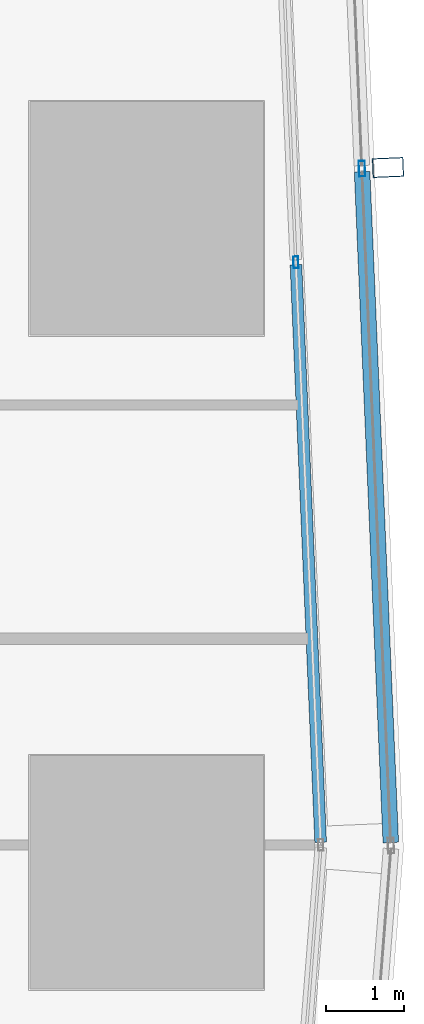
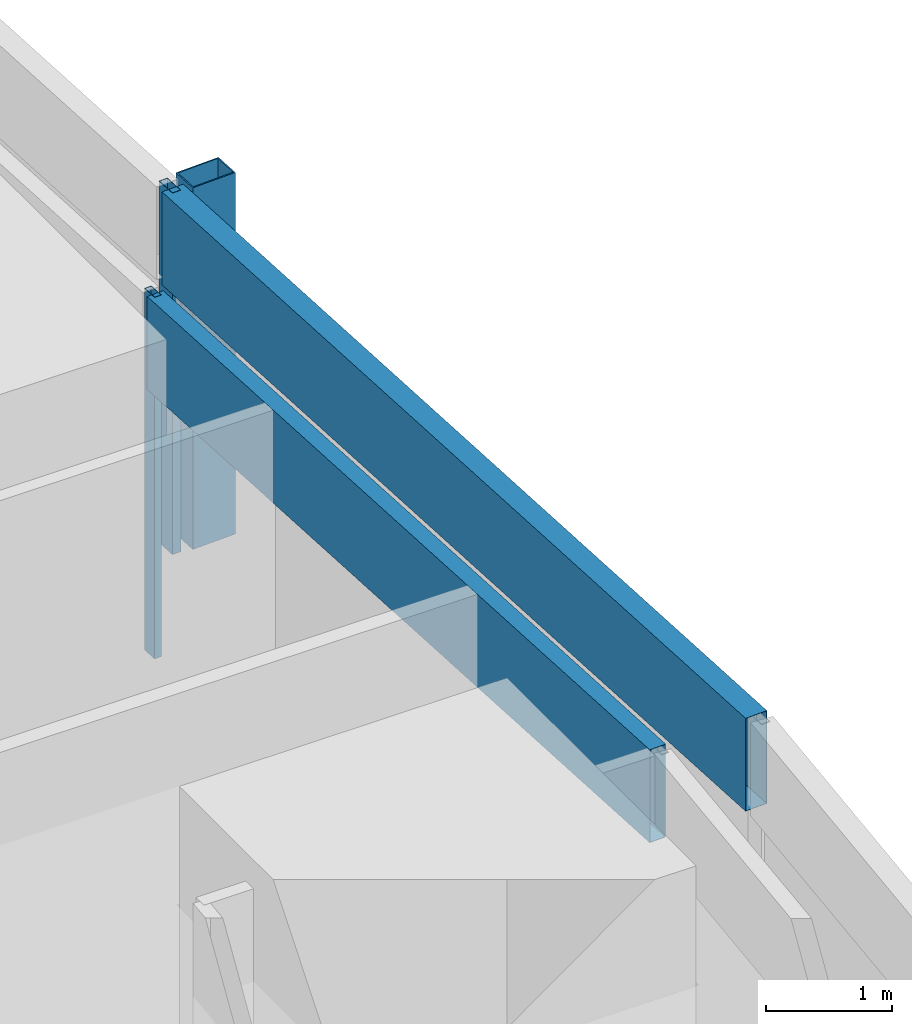
# One storey, part 27 of 45: 5 members, 2 elements without a shape of their own.
"""IFC4 building model written with IfcOpenShell, lengths in metres."""

from ifc_helpers import new_model, si_unit, direction, frame, origin, origin_2d, place, context, subcontext, project, spatial, hollow_rectangle, extrude, material, material_profile, profile_set, type_object, element, aggregate, save


model = new_model("IFC4")

# Units and contexts
model_context = context("Model", 3, precision=1e-05, world=origin(), true_north=direction((0.0, 1.0)))
body_context = subcontext(model_context, "Body", "Model", "MODEL_VIEW")
ifc_project = project(units=[si_unit("LENGTHUNIT", "METRE"), si_unit("AREAUNIT", "SQUARE_METRE"), si_unit("VOLUMEUNIT", "CUBIC_METRE"), si_unit("PLANEANGLEUNIT", "RADIAN"), si_unit("MASSUNIT", "GRAM", prefix="KILO")], contexts=[model_context])

# Site, building, storey
site_placement = place(None, origin())
site = spatial("IfcSite", under=ifc_project, at=site_placement, CompositionType="ELEMENT")
building_placement = place(site_placement, origin())
building = spatial("IfcBuilding", under=site, at=building_placement, Name="Rekha Terrace Tower", CompositionType="ELEMENT")
storey_placement = place(building_placement, frame((0.0, 0.0, 77.89990234375)))
storey = spatial("IfcBuildingStorey", under=building, at=storey_placement, Name="L19", CompositionType="ELEMENT", Elevation=77.89990234375)

# Curtain wall, member
ifc_material_1 = material(Name="Aluminium framing", Category="aluminium")
curtain_wall_type_1 = type_object("IfcCurtainWallType", Name="CW2 double skin outer glazing", PredefinedType="USERDEFINED", material=ifc_material_1)
curtain_wall_1_placement = place(storey_placement, origin())
curtain_wall_1 = element("IfcCurtainWall", 1, at=curtain_wall_1_placement, inside=storey, type_object=curtain_wall_type_1, Name="CW2 double skin outer glazing", ObjectType="DOUBLE SKIN OUTER GLAZING", PredefinedType="USERDEFINED")
ifc_material_2 = material(Name="Steel S355 with fluorocarbon finish", Category="steel")
ifc_material_profile_1 = material_profile(ifc_material_2, hollow_rectangle(XDim=0.25, YDim=0.39990234375, WallThickness=0.012451171875, at=origin_2d()), Name="RHS400x250x12.5")
ifc_profile_set_1 = profile_set([ifc_material_profile_1], Name="Steel S355 with fluorocarbon finish")
member_type_1 = type_object("IfcMemberType", Name="BL1 facade blade RHS 400 x 250", PredefinedType="USERDEFINED", material=ifc_profile_set_1)
member_1_placement = place(storey_placement, frame((70.301025390625, 34.2529296875, 0.0), z_axis=(0.0, 0.0, 1.0), x_axis=(-0.04269522475, 0.99908814315, 0.0)))
member_1 = element("IfcMember", 2, at=member_1_placement, type_object=member_type_1, Name="Facade blade", ObjectType="FACADE BLADE", PredefinedType="USERDEFINED", context=body_context, shape_type="SweptSolid", body=[
    extrude(hollow_rectangle(XDim=0.25, YDim=0.39990234375, WallThickness=0.012451171875, at=origin_2d()), origin(), (0.0, 0.0, 1.0), 3.5),
])

# Curtain wall, members
curtain_wall_type_2 = type_object("IfcCurtainWallType", Name="CW1 double skin inner glazing", PredefinedType="USERDEFINED", material=ifc_material_1)
curtain_wall_2_placement = place(storey_placement, origin())
curtain_wall_2 = element("IfcCurtainWall", 3, at=curtain_wall_2_placement, inside=storey, type_object=curtain_wall_type_2, Name="CW1 double skin inner glazing", ObjectType="DOUBLE SKIN INNER GLAZING", PredefinedType="USERDEFINED")
ifc_material_3 = material(Name="Aluminium mullion section", Category="aluminium")
ifc_material_profile_2 = material_profile(ifc_material_3, hollow_rectangle(XDim=0.06494140625, YDim=0.14990234375, WallThickness=0.00390625, at=origin_2d()), Name="AL RHS 65x150")
ifc_profile_set_2 = profile_set([ifc_material_profile_2], Name="Aluminium mullion section")
member_type_2 = type_object("IfcMemberType", Name="CW1 mullion RHS 65 x 150", PredefinedType="MULLION", material=ifc_profile_set_2)
member_2_placement = place(storey_placement, frame((69.116943359375, 33.035888671875, 0.0), z_axis=(0.0, 0.0, 1.0), x_axis=(-0.999088106904, -0.042696072921, 0.0)))
member_2 = element("IfcMember", 4, at=member_2_placement, type_object=member_type_2, Name="CW1 mullion 2", PredefinedType="MULLION", context=body_context, shape_type="SweptSolid", body=[
    extrude(hollow_rectangle(XDim=0.06494140625, YDim=0.14990234375, WallThickness=0.00390625, at=origin_2d()), origin(), (0.0, 0.0, 1.0), 3.5),
])
ifc_material_4 = material(Name="Insulated aluminium spandrel box", Category="aluminium")
ifc_material_profile_3 = material_profile(ifc_material_4, hollow_rectangle(XDim=0.14990234375, YDim=0.89990234375, WallThickness=0.0029296875, at=origin_2d()), Name="AL SPANDREL BOX 150x900")
ifc_profile_set_3 = profile_set([ifc_material_profile_3], Name="Insulated aluminium spandrel box")
member_type_3 = type_object("IfcMemberType", Name="CW1 spandrel transom 150 x 900", PredefinedType="USERDEFINED", material=ifc_profile_set_3)
member_3_placement = place(storey_placement, frame((69.435546875, 25.584228515625, 3.050048828125), z_axis=(-0.042706731354, 0.999087651359, 0.0), x_axis=(-0.999087651359, -0.042706731354, 0.0)))
member_3 = element("IfcMember", 5, at=member_3_placement, type_object=member_type_3, Name="CW1 spandrel transom 1", ObjectType="TRANSOM", PredefinedType="USERDEFINED", context=body_context, shape_type="SweptSolid", body=[
    extrude(hollow_rectangle(XDim=0.14990234375, YDim=0.89990234375, WallThickness=0.0029296875, at=origin_2d()), origin(), (0.0, 0.0, 1.0), 7.426025390625),
])
aggregate(curtain_wall_2, [member_2, member_3])

# Member
ifc_material_profile_4 = material_profile(ifc_material_3, hollow_rectangle(XDim=0.080078125, YDim=0.199951171875, WallThickness=0.00390625, at=origin_2d()), Name="AL RHS 80x200")
ifc_profile_set_4 = profile_set([ifc_material_profile_4], Name="Aluminium mullion section")
member_type_4 = type_object("IfcMemberType", Name="CW2 mullion RHS 80 x 200", PredefinedType="MULLION", material=ifc_profile_set_4)
member_4_placement = place(storey_placement, frame((69.96630859375, 34.23876953125, 0.0), z_axis=(0.0, 0.0, 1.0), x_axis=(-0.999088106903, -0.042696072956, 0.0)))
member_4 = element("IfcMember", 6, at=member_4_placement, type_object=member_type_4, Name="CW2 mullion 2", PredefinedType="MULLION", context=body_context, shape_type="SweptSolid", body=[
    extrude(hollow_rectangle(XDim=0.080078125, YDim=0.199951171875, WallThickness=0.00390625, at=origin_2d()), origin(), (0.0, 0.0, 1.0), 3.5),
])

ifc_material_profile_5 = material_profile(ifc_material_4, hollow_rectangle(XDim=0.199951171875, YDim=0.89990234375, WallThickness=0.0029296875, at=origin_2d()), Name="AL SPANDREL BOX 200x900")
ifc_profile_set_5 = profile_set([ifc_material_profile_5], Name="Insulated aluminium spandrel box")
member_type_5 = type_object("IfcMemberType", Name="CW2 spandrel transom 200 x 900", PredefinedType="USERDEFINED", material=ifc_profile_set_5)
member_5_placement = place(storey_placement, frame((70.33642578125, 25.582763671875, 3.050048828125), z_axis=(-0.042719742329, 0.99908709511, 0.0), x_axis=(-0.99908709511, -0.042719742329, 0.0)))
member_5 = element("IfcMember", 7, at=member_5_placement, type_object=member_type_5, Name="CW2 spandrel transom 1", ObjectType="TRANSOM", PredefinedType="USERDEFINED", context=body_context, shape_type="SweptSolid", body=[
    extrude(hollow_rectangle(XDim=0.199951171875, YDim=0.89990234375, WallThickness=0.0029296875, at=origin_2d()), origin(), (0.0, 0.0, 1.0), 8.623779296875),
])

aggregate(curtain_wall_1, [member_4, member_5, member_1])

save(model, "model.ifc")
